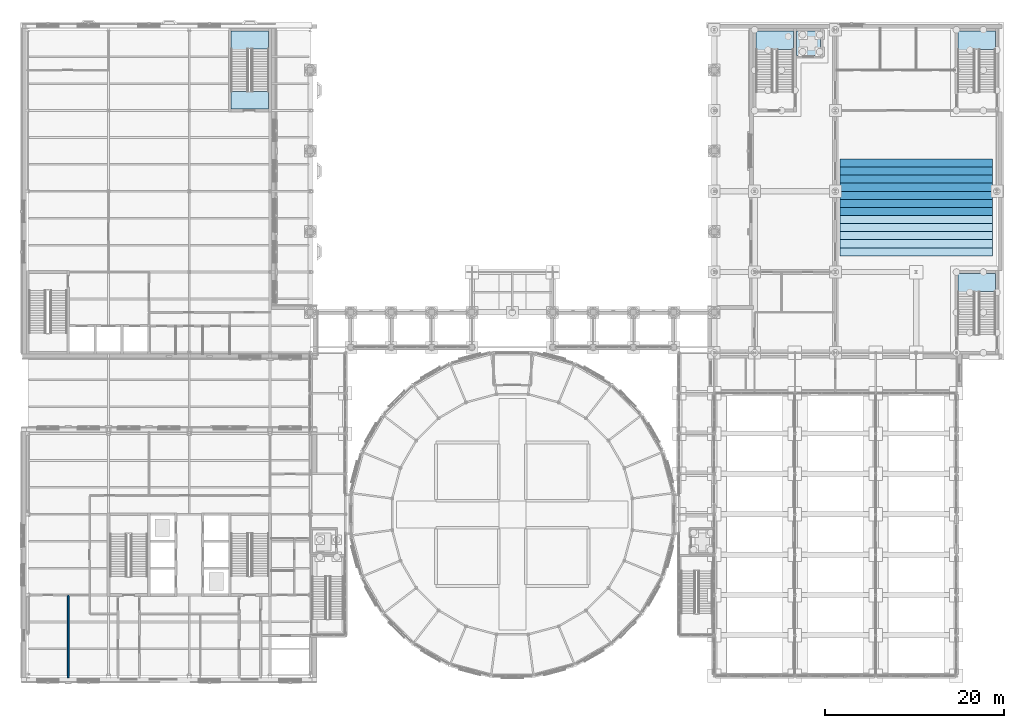
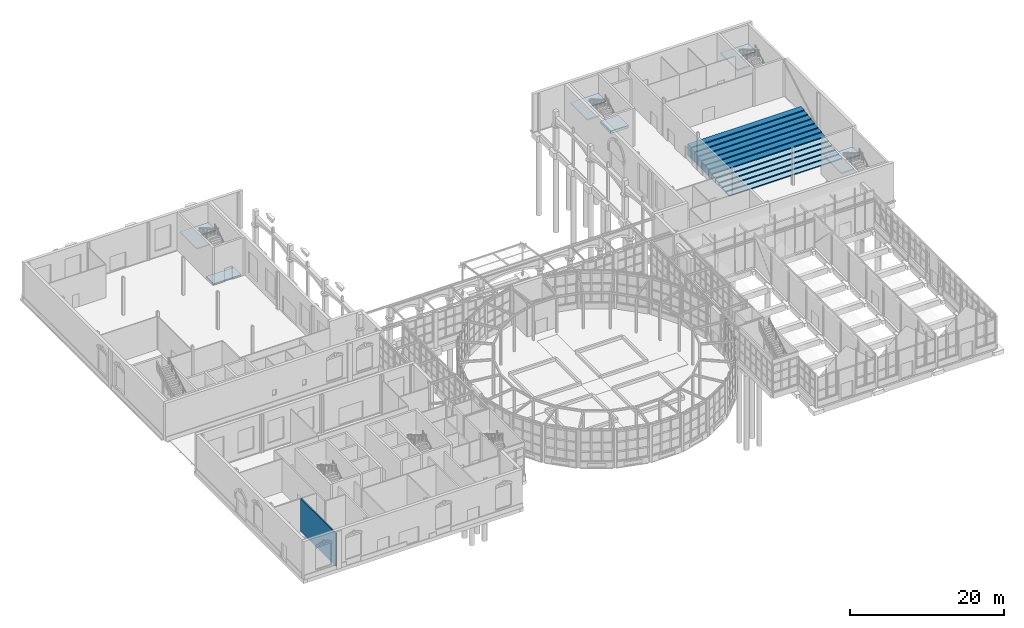
# One storey, part 66 of 106: 18 slabs, 1 wall, 4 elements without a shape of their own.
"""IFC4 building model written with IfcOpenShell, lengths in metres."""

from ifc_helpers import new_model, si_unit, direction, frame, frame_2d, origin, place, context, subcontext, project, spatial, polyline, rectangle, outline, extrude, material, layer, layer_set, type_object, element, aggregate, save


model = new_model("IFC4")

# Units and contexts
model_context = context("Model", 3, precision=1e-05, world=origin(), true_north=direction((0.0, 1.0)))
body_context = subcontext(model_context, "Body", "Model", "MODEL_VIEW")
ifc_project = project(units=[si_unit("LENGTHUNIT", "METRE"), si_unit("AREAUNIT", "SQUARE_METRE"), si_unit("VOLUMEUNIT", "CUBIC_METRE"), si_unit("PLANEANGLEUNIT", "RADIAN"), si_unit("MASSUNIT", "GRAM", prefix="KILO")], contexts=[model_context])

# Site, building, storey
site_placement = place(None, origin())
site = spatial("IfcSite", under=ifc_project, at=site_placement, CompositionType="ELEMENT")
building_placement = place(site_placement, origin())
building = spatial("IfcBuilding", under=site, at=building_placement, Name="Hortulan Conservatory and Botanical Research Centre", CompositionType="ELEMENT")
storey_placement = place(building_placement, origin())
storey = spatial("IfcBuildingStorey", under=building, at=storey_placement, Name="L00", CompositionType="ELEMENT", Elevation=0.0)

# Slab
ifc_material_1 = material(Name="Concrete N40 (40 MPa, AS 3600)", Category="concrete")
ifc_layer_1 = layer(ifc_material_1, 0.39990234375)
ifc_layer_set_1 = layer_set([ifc_layer_1], Name="Lift Pit Slab 400")
slab_type_1 = type_object("IfcSlabType", Name="Lift Pit Slab 400", PredefinedType="BASESLAB", material=ifc_layer_set_1)
slab_1_placement = place(storey_placement, frame((0.0, 0.0, -1.89990234375)))
element("IfcSlab", 1, at=slab_1_placement, inside=storey, type_object=slab_type_1, Name="Lift pit slab LA1", PredefinedType="BASESLAB", context=body_context, shape_type="SweptSolid", body=[
    extrude(outline(polyline([(88.35009765625, 69.14990234375), (88.35009765625, 71.85009765625), (85.64990234375, 71.85009765625), (85.64990234375, 69.14990234375), (88.35009765625, 69.14990234375)])), origin(), (0.0, 0.0, 1.0), 0.39990234375),
])

# Stair, slab
stair_type_1 = type_object("IfcStairType", Name="Concrete Escape Stair 1950", PredefinedType="HALF_TURN_STAIR", material=ifc_material_1)
stair_1_placement = place(storey_placement, origin())
stair_1 = element("IfcStair", 2, at=stair_1_placement, inside=storey, type_object=stair_type_1, Name="Stair V2 L00", PredefinedType="HALF_TURN_STAIR")
ifc_layer_2 = layer(ifc_material_1, 0.199951171875)
ifc_layer_set_2 = layer_set([ifc_layer_2], Name="Stair Landing 200")
slab_type_2 = type_object("IfcSlabType", Name="Stair Landing 200", PredefinedType="LANDING", material=ifc_layer_set_2)
slab_2_placement = place(storey_placement, frame((0.0, 0.0, 2.800048828125)))
slab_2 = element("IfcSlab", 3, at=slab_2_placement, type_object=slab_type_2, Name="Stair V2 L00 half landing 1", PredefinedType="LANDING", context=body_context, shape_type="SweptSolid", body=[
    extrude(outline(polyline([(26.85009765625, 69.859619140625), (24.60009765625, 69.859619140625), (24.60009765625, 67.47998046875), (22.64990234375, 67.47998046875), (22.64990234375, 69.859619140625), (22.64990234375, 69.860107421875), (22.64990234375, 69.8701171875), (22.64990234375, 71.85009765625), (26.85009765625, 71.85009765625), (26.85009765625, 69.8701171875), (26.85009765625, 69.860107421875), (26.85009765625, 69.859619140625)])), origin(), (0.0, 0.0, 1.0), 0.199951171875),
])
aggregate(stair_1, [slab_2])

# Slab
slab_3_placement = place(storey_placement, frame((0.0, 0.0, -0.199951171875)))
element("IfcSlab", 4, at=slab_3_placement, inside=storey, type_object=slab_type_2, Name="Stair V2 floor landing L00", PredefinedType="LANDING", context=body_context, shape_type="SweptSolid", body=[
    extrude(outline(polyline([(26.85009765625, 63.14990234375), (22.64990234375, 63.14990234375), (22.64990234375, 65.10009765625), (26.85009765625, 65.10009765625), (26.85009765625, 63.14990234375)])), origin(), (0.0, 0.0, 1.0), 0.199951171875),
])

# Stair, slab
stair_type_2 = type_object("IfcStairType", Name="Concrete Escape Stair 1900", PredefinedType="HALF_TURN_STAIR", material=ifc_material_1)
stair_2_placement = place(storey_placement, origin())
stair_2 = element("IfcStair", 5, at=stair_2_placement, inside=storey, type_object=stair_type_2, Name="Stair A1 L00", PredefinedType="HALF_TURN_STAIR")
slab_4_placement = place(storey_placement, frame((0.0, 0.0, 2.800048828125)))
slab_4 = element("IfcSlab", 6, at=slab_4_placement, type_object=slab_type_2, Name="Stair A1 L00 half landing 1", PredefinedType="LANDING", context=body_context, shape_type="SweptSolid", body=[
    extrude(outline(polyline([(85.35009765625, 69.8095703125), (83.050048828125, 69.8095703125), (83.050048828125, 67.429931640625), (81.14990234375, 67.429931640625), (81.14990234375, 69.81005859375), (81.14990234375, 69.81005859375), (81.14990234375, 69.820068359375), (81.14990234375, 71.85009765625), (85.35009765625, 71.85009765625), (85.35009765625, 69.820068359375), (85.35009765625, 69.81005859375), (85.35009765625, 69.8095703125)])), origin(), (0.0, 0.0, 1.0), 0.199951171875),
])
aggregate(stair_2, [slab_4])

stair_3_placement = place(storey_placement, origin())
stair_3 = element("IfcStair", 7, at=stair_3_placement, inside=storey, type_object=stair_type_2, Name="Stair A2 L00", PredefinedType="HALF_TURN_STAIR")
slab_5_placement = place(storey_placement, frame((0.0, 0.0, 2.800048828125)))
slab_5 = element("IfcSlab", 8, at=slab_5_placement, type_object=slab_type_2, Name="Stair A2 L00 half landing 1", PredefinedType="LANDING", context=body_context, shape_type="SweptSolid", body=[
    extrude(outline(polyline([(107.85009765625, 42.8095703125), (105.550048828125, 42.8095703125), (105.550048828125, 40.429931640625), (103.64990234375, 40.429931640625), (103.64990234375, 42.81005859375), (103.64990234375, 42.81005859375), (103.64990234375, 42.820068359375), (103.64990234375, 44.85009765625), (107.85009765625, 44.85009765625), (107.85009765625, 42.820068359375), (107.85009765625, 42.81005859375), (107.85009765625, 42.8095703125)])), origin(), (0.0, 0.0, 1.0), 0.199951171875),
])
aggregate(stair_3, [slab_5])

stair_4_placement = place(storey_placement, origin())
stair_4 = element("IfcStair", 9, at=stair_4_placement, inside=storey, type_object=stair_type_2, Name="Stair A3 L00", PredefinedType="HALF_TURN_STAIR")
slab_6_placement = place(storey_placement, frame((0.0, 0.0, 2.800048828125)))
slab_6 = element("IfcSlab", 10, at=slab_6_placement, type_object=slab_type_2, Name="Stair A3 L00 half landing 1", PredefinedType="LANDING", context=body_context, shape_type="SweptSolid", body=[
    extrude(outline(polyline([(107.85009765625, 69.8095703125), (105.550048828125, 69.8095703125), (105.550048828125, 67.429931640625), (103.64990234375, 67.429931640625), (103.64990234375, 69.81005859375), (103.64990234375, 69.81005859375), (103.64990234375, 69.820068359375), (103.64990234375, 71.85009765625), (107.85009765625, 71.85009765625), (107.85009765625, 69.820068359375), (107.85009765625, 69.81005859375), (107.85009765625, 69.8095703125)])), origin(), (0.0, 0.0, 1.0), 0.199951171875),
])
aggregate(stair_4, [slab_6])

# Slabs
ifc_material_2 = material(Name="Precast concrete tier block, grade 40 (40 MPa, AS 3600)", Category="concrete")
slab_type_3 = type_object("IfcSlabType", Name="Stalls Tier Block", PredefinedType="FLOOR", material=ifc_material_2)
slab_7_placement = place(storey_placement, origin())
element("IfcSlab", 11, at=slab_7_placement, inside=storey, type_object=slab_type_3, Name="Stalls tier row 1 with 20 seats", PredefinedType="FLOOR", context=body_context, shape_type="SweptSolid", body=[
    extrude(outline(polyline([(90.5, 46.800048828125), (107.5, 46.800048828125), (107.5, 47.699951171875), (90.5, 47.699951171875), (90.5, 46.800048828125)])), origin(), (0.0, 0.0, 1.0), 0.14990234375),
])
slab_8_placement = place(storey_placement, origin())
element("IfcSlab", 12, at=slab_8_placement, inside=storey, type_object=slab_type_3, Name="Stalls tier row 2 with 20 seats", PredefinedType="FLOOR", context=body_context, shape_type="SweptSolid", body=[
    extrude(outline(polyline([(90.5, 47.699951171875), (107.5, 47.699951171875), (107.5, 48.60009765625), (90.5, 48.60009765625), (90.5, 47.699951171875)])), origin(), (0.0, 0.0, 1.0), 0.300048828125),
])
slab_9_placement = place(storey_placement, origin())
element("IfcSlab", 13, at=slab_9_placement, inside=storey, type_object=slab_type_3, Name="Stalls tier row 3 with 20 seats", PredefinedType="FLOOR", context=body_context, shape_type="SweptSolid", body=[
    extrude(outline(polyline([(90.5, 48.60009765625), (107.5, 48.60009765625), (107.5, 49.5), (90.5, 49.5), (90.5, 48.60009765625)])), origin(), (0.0, 0.0, 1.0), 0.449951171875),
])
slab_10_placement = place(storey_placement, origin())
element("IfcSlab", 14, at=slab_10_placement, inside=storey, type_object=slab_type_3, Name="Stalls tier row 4 with 20 seats", PredefinedType="FLOOR", context=body_context, shape_type="SweptSolid", body=[
    extrude(outline(polyline([(90.5, 49.5), (107.5, 49.5), (107.5, 50.39990234375), (90.5, 50.39990234375), (90.5, 49.5)])), origin(), (0.0, 0.0, 1.0), 0.60009765625),
])
slab_11_placement = place(storey_placement, origin())
element("IfcSlab", 15, at=slab_11_placement, inside=storey, type_object=slab_type_3, Name="Stalls tier row 5 with 20 seats", PredefinedType="FLOOR", context=body_context, shape_type="SweptSolid", body=[
    extrude(outline(polyline([(90.5, 50.39990234375), (107.5, 50.39990234375), (107.5, 51.300048828125), (90.5, 51.300048828125), (90.5, 50.39990234375)])), origin(), (0.0, 0.0, 1.0), 0.75),
])
slab_12_placement = place(storey_placement, origin())
element("IfcSlab", 16, at=slab_12_placement, inside=storey, type_object=slab_type_3, Name="Stalls tier row 6 with 20 seats", PredefinedType="FLOOR", context=body_context, shape_type="SweptSolid", body=[
    extrude(outline(polyline([(90.5, 51.300048828125), (107.5, 51.300048828125), (107.5, 52.199951171875), (90.5, 52.199951171875), (90.5, 51.300048828125)])), origin(), (0.0, 0.0, 1.0), 0.89990234375),
])
slab_13_placement = place(storey_placement, origin())
element("IfcSlab", 17, at=slab_13_placement, inside=storey, type_object=slab_type_3, Name="Stalls tier row 7 with 20 seats", PredefinedType="FLOOR", context=body_context, shape_type="SweptSolid", body=[
    extrude(outline(polyline([(90.5, 52.199951171875), (107.5, 52.199951171875), (107.5, 53.10009765625), (90.5, 53.10009765625), (90.5, 52.199951171875)])), origin(), (0.0, 0.0, 1.0), 1.050048828125),
])
slab_14_placement = place(storey_placement, origin())
element("IfcSlab", 18, at=slab_14_placement, inside=storey, type_object=slab_type_3, Name="Stalls tier row 8 with 20 seats", PredefinedType="FLOOR", context=body_context, shape_type="SweptSolid", body=[
    extrude(outline(polyline([(90.5, 53.10009765625), (107.5, 53.10009765625), (107.5, 54.0), (90.5, 54.0), (90.5, 53.10009765625)])), origin(), (0.0, 0.0, 1.0), 1.199951171875),
])
slab_15_placement = place(storey_placement, origin())
element("IfcSlab", 19, at=slab_15_placement, inside=storey, type_object=slab_type_3, Name="Stalls tier row 9 with 20 seats", PredefinedType="FLOOR", context=body_context, shape_type="SweptSolid", body=[
    extrude(outline(polyline([(90.5, 54.0), (107.5, 54.0), (107.5, 54.89990234375), (90.5, 54.89990234375), (90.5, 54.0)])), origin(), (0.0, 0.0, 1.0), 1.35009765625),
])
slab_16_placement = place(storey_placement, origin())
element("IfcSlab", 20, at=slab_16_placement, inside=storey, type_object=slab_type_3, Name="Stalls tier row 10 with 20 seats", PredefinedType="FLOOR", context=body_context, shape_type="SweptSolid", body=[
    extrude(outline(polyline([(90.5, 54.89990234375), (107.5, 54.89990234375), (107.5, 55.800048828125), (90.5, 55.800048828125), (90.5, 54.89990234375)])), origin(), (0.0, 0.0, 1.0), 1.5),
])
slab_17_placement = place(storey_placement, origin())
element("IfcSlab", 21, at=slab_17_placement, inside=storey, type_object=slab_type_3, Name="Stalls tier row 11 with 20 seats", PredefinedType="FLOOR", context=body_context, shape_type="SweptSolid", body=[
    extrude(outline(polyline([(90.5, 55.800048828125), (107.5, 55.800048828125), (107.5, 56.699951171875), (90.5, 56.699951171875), (90.5, 55.800048828125)])), origin(), (0.0, 0.0, 1.0), 1.64990234375),
])
slab_18_placement = place(storey_placement, origin())
element("IfcSlab", 22, at=slab_18_placement, inside=storey, type_object=slab_type_3, Name="Stalls tier row 12 with 20 seats", PredefinedType="FLOOR", context=body_context, shape_type="SweptSolid", body=[
    extrude(outline(polyline([(90.5, 56.699951171875), (107.5, 56.699951171875), (107.5, 57.60009765625), (90.5, 57.60009765625), (90.5, 56.699951171875)])), origin(), (0.0, 0.0, 1.0), 1.800048828125),
])

# Wall
ifc_material_3 = material(Name="Concrete masonry block, grade 20 (20 MPa, AS 3700)", Category="masonry")
ifc_layer_3 = layer(ifc_material_3, 0.199951171875)
ifc_layer_set_3 = layer_set([ifc_layer_3], Name="Fire Control Room Wall 200")
wall_type = type_object("IfcWallType", Name="Fire Control Room Wall 200", PredefinedType="PARTITIONING", material=ifc_layer_set_3)
wall_placement = place(storey_placement, frame((4.5, -0.200927734375, 0.0), z_axis=(0.0, 0.0, 1.0), x_axis=(0.0, 1.0, 0.0)))
element("IfcWall", 23, at=wall_placement, inside=storey, type_object=wall_type, Name="Fire control room wall", PredefinedType="PARTITIONING", context=body_context, shape_type="SweptSolid", body=[
    extrude(rectangle(XDim=9.200927734375, YDim=0.199951171875, at=frame_2d((4.6005859375, 0.0))), origin(), (0.0, 0.0, 1.0), 5.218017578125),
])

save(model, "model.ifc")
